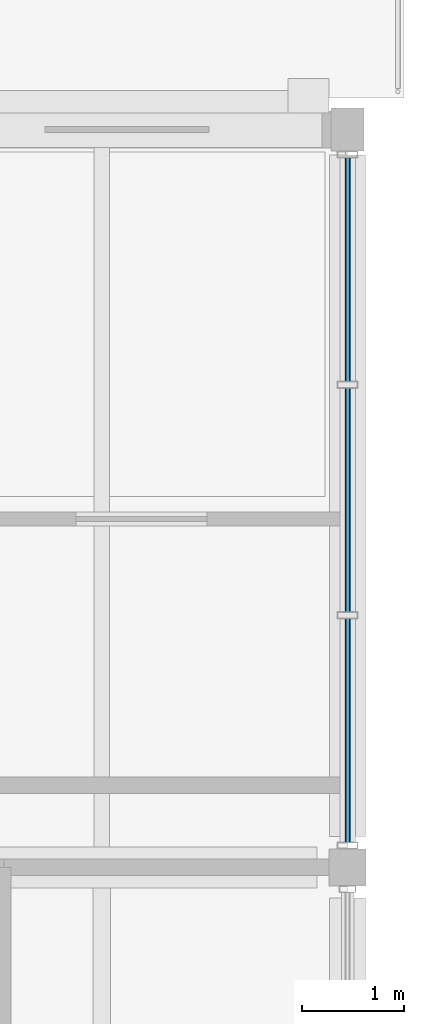
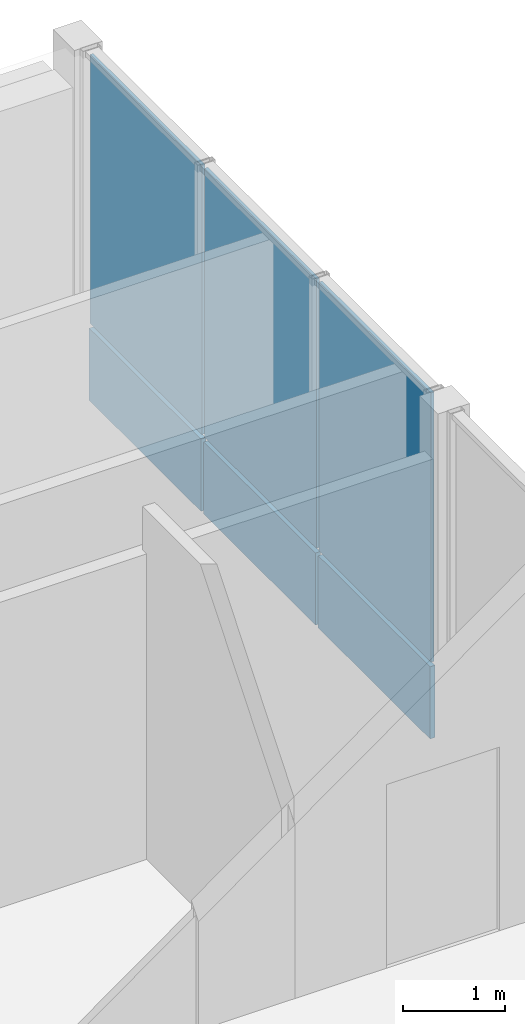
# One storey, part 103 of 146: 6 plates, 1 element without a shape of its own.
"""IFC4 building model written with IfcOpenShell, lengths in metres."""

from ifc_helpers import new_model, si_unit, direction, frame, origin, origin_2d, place, context, subcontext, project, spatial, rectangle, extrude, material, layer, layer_set, type_object, element, aggregate, save


model = new_model("IFC4")

# Units and contexts
model_context = context("Model", 3, precision=1e-05, world=origin(), true_north=direction((0.0, 1.0)))
body_context = subcontext(model_context, "Body", "Model", "MODEL_VIEW")
ifc_project = project(units=[si_unit("LENGTHUNIT", "METRE"), si_unit("AREAUNIT", "SQUARE_METRE"), si_unit("VOLUMEUNIT", "CUBIC_METRE"), si_unit("PLANEANGLEUNIT", "RADIAN"), si_unit("MASSUNIT", "GRAM", prefix="KILO")], contexts=[model_context])

# Site, building, storey
site_placement = place(None, origin())
site = spatial("IfcSite", under=ifc_project, at=site_placement, CompositionType="ELEMENT")
building_placement = place(site_placement, origin())
building = spatial("IfcBuilding", under=site, at=building_placement, Name="Hawrajan Terrace Health Centre", CompositionType="ELEMENT")
storey_placement = place(building_placement, frame((0.0, 0.0, 4.5)))
storey = spatial("IfcBuildingStorey", under=building, at=storey_placement, Name="L01", CompositionType="ELEMENT", Elevation=4.5)

# Curtain wall, plates
ifc_material_1 = material(Name="Anodized bronze aluminium and low-E solar glazing", Category="aluminium")
curtain_wall_type = type_object("IfcCurtainWallType", Name="CW_Vestibule_SeriesH1", PredefinedType="USERDEFINED", material=ifc_material_1)
curtain_wall_placement = place(storey_placement, origin())
curtain_wall = element("IfcCurtainWall", 1, at=curtain_wall_placement, inside=storey, type_object=curtain_wall_type, Name="Curtain wall CW-L01-115", ObjectType="UNITISED CURTAIN WALL", PredefinedType="USERDEFINED")
ifc_material_2 = material(Name="Insulated reconstituted coral-stone spandrel", Category="masonry")
ifc_layer_1 = layer(ifc_material_2, 0.055908203125)
ifc_layer_set_1 = layer_set([ifc_layer_1], Name="Insulated reconstituted coral-stone spandrel")
plate_type_1 = type_object("IfcPlateType", Name="SpandrelPanel_Coral56", PredefinedType="CURTAIN_PANEL", material=ifc_layer_set_1)
plate_1_placement = place(storey_placement, frame((165.39990234375, 46.73681640625, 0.05908203125), z_axis=(0.0, 0.0, 1.0), x_axis=(0.0, 1.0, 0.0)))
plate_1 = element("IfcPlate", 2, at=plate_1_placement, type_object=plate_type_1, Name="Curtain panel CW-L01-115-P1-1", PredefinedType="CURTAIN_PANEL", context=body_context, shape_type="SweptSolid", body=[
    extrude(rectangle(XDim=2.1953125, YDim=0.055908203125, at=origin_2d()), origin(), (0.0, 0.0, 1.0), 0.864501953125),
])
plate_2_placement = place(storey_placement, frame((165.39990234375, 48.985107421875, 0.05908203125), z_axis=(0.0, 0.0, 1.0), x_axis=(0.0, 1.0, 0.0)))
plate_2 = element("IfcPlate", 3, at=plate_2_placement, type_object=plate_type_1, Name="Curtain panel CW-L01-115-P2-1", PredefinedType="CURTAIN_PANEL", context=body_context, shape_type="SweptSolid", body=[
    extrude(rectangle(XDim=2.1953125, YDim=0.055908203125, at=origin_2d()), origin(), (0.0, 0.0, 1.0), 0.864501953125),
])
plate_3_placement = place(storey_placement, frame((165.39990234375, 51.2333984375, 0.05908203125), z_axis=(0.0, 0.0, 1.0), x_axis=(0.0, 1.0, 0.0)))
plate_3 = element("IfcPlate", 4, at=plate_3_placement, type_object=plate_type_1, Name="Curtain panel CW-L01-115-P3-1", PredefinedType="CURTAIN_PANEL", context=body_context, shape_type="SweptSolid", body=[
    extrude(rectangle(XDim=2.1953125, YDim=0.055908203125, at=origin_2d()), origin(), (0.0, 0.0, 1.0), 0.864501953125),
])
ifc_material_3 = material(Name="Triple-glazed solar acoustic low-E glass", Category="glass")
ifc_layer_2 = layer(ifc_material_3, 0.035888671875)
ifc_layer_set_2 = layer_set([ifc_layer_2], Name="Triple-glazed solar acoustic low-E glass")
plate_type_2 = type_object("IfcPlateType", Name="VisionGlassPanel_36", PredefinedType="CURTAIN_PANEL", material=ifc_layer_set_2)
plate_4_placement = place(storey_placement, frame((165.39990234375, 46.73681640625, 0.976318359375), z_axis=(0.0, 0.0, 1.0), x_axis=(0.0, 1.0, 0.0)))
plate_4 = element("IfcPlate", 5, at=plate_4_placement, type_object=plate_type_2, Name="Curtain panel CW-L01-115-P1-2", PredefinedType="CURTAIN_PANEL", context=body_context, shape_type="SweptSolid", body=[
    extrude(rectangle(XDim=2.1953125, YDim=0.035888671875, at=origin_2d()), origin(), (0.0, 0.0, 1.0), 3.224609375),
])
plate_5_placement = place(storey_placement, frame((165.39990234375, 48.985107421875, 0.976318359375), z_axis=(0.0, 0.0, 1.0), x_axis=(0.0, 1.0, 0.0)))
plate_5 = element("IfcPlate", 6, at=plate_5_placement, type_object=plate_type_2, Name="Curtain panel CW-L01-115-P2-2", PredefinedType="CURTAIN_PANEL", context=body_context, shape_type="SweptSolid", body=[
    extrude(rectangle(XDim=2.1953125, YDim=0.035888671875, at=origin_2d()), origin(), (0.0, 0.0, 1.0), 3.224609375),
])
plate_6_placement = place(storey_placement, frame((165.39990234375, 51.2333984375, 0.976318359375), z_axis=(0.0, 0.0, 1.0), x_axis=(0.0, 1.0, 0.0)))
plate_6 = element("IfcPlate", 7, at=plate_6_placement, type_object=plate_type_2, Name="Curtain panel CW-L01-115-P3-2", PredefinedType="CURTAIN_PANEL", context=body_context, shape_type="SweptSolid", body=[
    extrude(rectangle(XDim=2.1953125, YDim=0.035888671875, at=origin_2d()), origin(), (0.0, 0.0, 1.0), 3.224609375),
])
aggregate(curtain_wall, [plate_1, plate_4, plate_2, plate_5, plate_3, plate_6])

save(model, "model.ifc")
